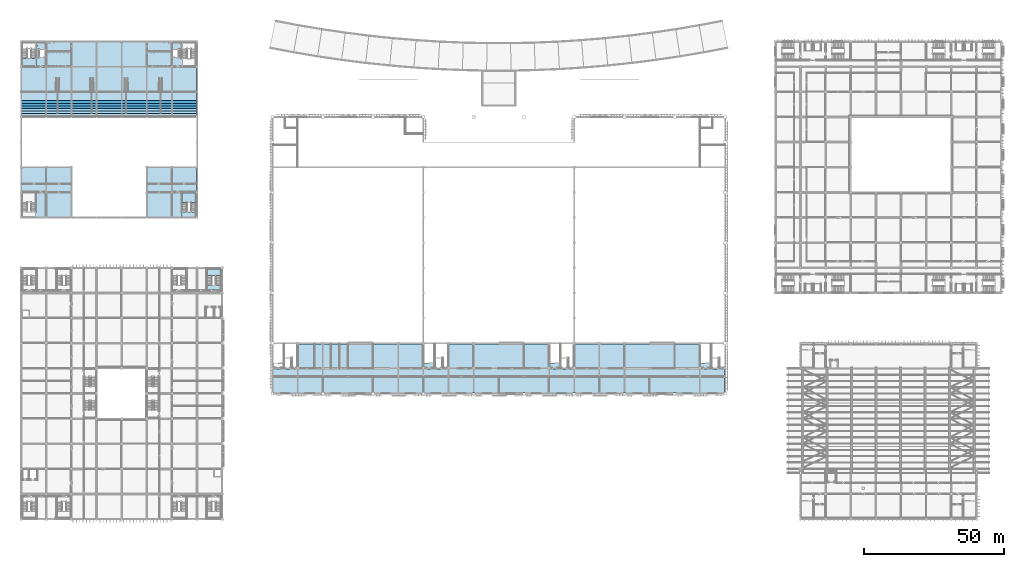
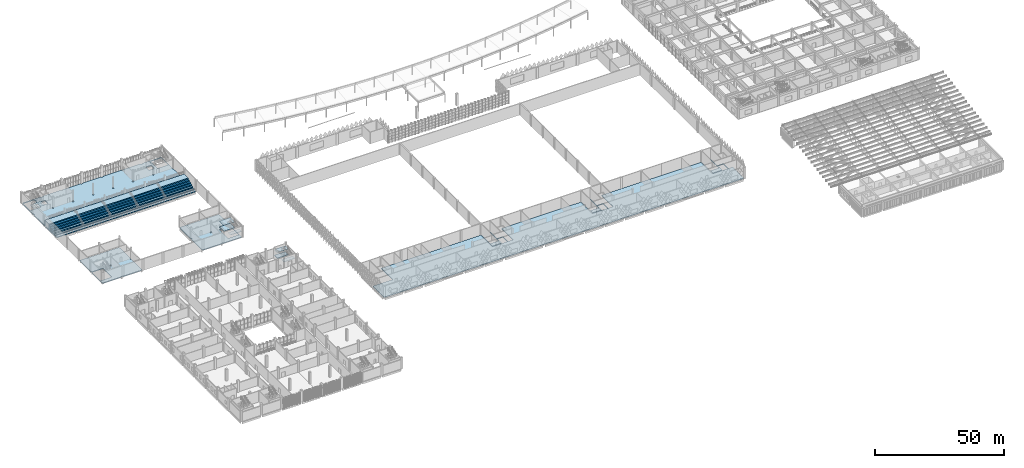
# One storey, part 88 of 185: 20 slabs, 3 elements without a shape of their own.
"""IFC4 building model written with IfcOpenShell, lengths in metres."""

from ifc_helpers import new_model, si_unit, direction, frame, origin, place, context, subcontext, project, spatial, polyline, outline, extrude, material, layer, layer_set, type_object, element, aggregate, save


model = new_model("IFC4")

# Units and contexts
model_context = context("Model", 3, precision=1e-05, world=origin(), true_north=direction((0.0, 1.0)))
body_context = subcontext(model_context, "Body", "Model", "MODEL_VIEW")
ifc_project = project(units=[si_unit("LENGTHUNIT", "METRE"), si_unit("AREAUNIT", "SQUARE_METRE"), si_unit("VOLUMEUNIT", "CUBIC_METRE"), si_unit("PLANEANGLEUNIT", "RADIAN"), si_unit("MASSUNIT", "GRAM", prefix="KILO")], contexts=[model_context])

# Site, building, storey
site_placement = place(None, origin())
site = spatial("IfcSite", under=ifc_project, at=site_placement, CompositionType="ELEMENT")
building_placement = place(site_placement, origin())
building = spatial("IfcBuilding", under=site, at=building_placement, Name="Opaline Strait Convention Centre", CompositionType="ELEMENT")
storey_placement = place(building_placement, frame((0.0, 0.0, 6.0)))
storey = spatial("IfcBuildingStorey", under=building, at=storey_placement, Name="L01", CompositionType="ELEMENT", Elevation=6.0)

# Slabs
ifc_material_1 = material(Name="Concrete C35", Category="concrete")
ifc_layer_1 = layer(ifc_material_1, 0.280029296875)
ifc_layer_set_1 = layer_set([ifc_layer_1], Name="Concrete C35")
slab_type_1 = type_object("IfcSlabType", Name="Core floor slab 280 C35", PredefinedType="FLOOR", material=ifc_layer_set_1)
slab_1_placement = place(storey_placement, frame((0.0, 0.0, -0.280029296875)))
element("IfcSlab", 1, at=slab_1_placement, inside=storey, type_object=slab_type_1, Name="Core 2 floor", PredefinedType="FLOOR", context=body_context, shape_type="SweptSolid", body=[
    extrude(outline(polyline([(159.75, 63.14990234375), (159.75, 66.550048828125), (157.25, 66.550048828125), (157.25, 63.14990234375), (153.14990234375, 63.14990234375), (153.14990234375, 71.800048828125), (153.199951171875, 71.800048828125), (153.199951171875, 64.95068359375), (156.949951171875, 64.95068359375), (156.949951171875, 71.800048828125), (157.25, 71.800048828125), (157.25, 66.85009765625), (160.050048828125, 66.85009765625), (160.050048828125, 63.14990234375), (159.75, 63.14990234375)])), origin(), (0.0, 0.0, 1.0), 0.280029296875),
])
slab_2_placement = place(storey_placement, frame((0.0, 0.0, -0.280029296875)))
element("IfcSlab", 2, at=slab_2_placement, inside=storey, type_object=slab_type_1, Name="Core 3 floor", PredefinedType="FLOOR", context=body_context, shape_type="SweptSolid", body=[
    extrude(outline(polyline([(204.75, 63.14990234375), (204.75, 66.550048828125), (202.25, 66.550048828125), (202.25, 63.14990234375), (198.14990234375, 63.14990234375), (198.14990234375, 71.800048828125), (198.199951171875, 71.800048828125), (198.199951171875, 64.95068359375), (201.949951171875, 64.95068359375), (201.949951171875, 71.800048828125), (202.25, 71.800048828125), (202.25, 66.85009765625), (205.050048828125, 66.85009765625), (205.050048828125, 63.14990234375), (204.75, 63.14990234375)])), origin(), (0.0, 0.0, 1.0), 0.280029296875),
])
slab_3_placement = place(storey_placement, frame((0.0, 0.0, -0.280029296875)))
element("IfcSlab", 3, at=slab_3_placement, inside=storey, type_object=slab_type_1, Name="Core 4 floor", PredefinedType="FLOOR", context=body_context, shape_type="SweptSolid", body=[
    extrude(outline(polyline([(258.75, 63.14990234375), (258.75, 66.550048828125), (256.25, 66.550048828125), (256.25, 63.14990234375), (252.14990234375, 63.14990234375), (252.14990234375, 71.800048828125), (252.199951171875, 71.800048828125), (252.199951171875, 64.95068359375), (255.949951171875, 64.95068359375), (255.949951171875, 71.800048828125), (256.25, 71.800048828125), (256.25, 66.85009765625), (259.050048828125, 66.85009765625), (259.050048828125, 63.14990234375), (258.75, 63.14990234375)])), origin(), (0.0, 0.0, 1.0), 0.280029296875),
])
ifc_layer_2 = layer(ifc_material_1, 0.280029296875)
ifc_layer_set_2 = layer_set([ifc_layer_2], Name="Concrete C35")
slab_type_2 = type_object("IfcSlabType", Name="Floor slab 280 C35", PredefinedType="FLOOR", material=ifc_layer_set_2)
slab_4_placement = place(storey_placement, frame((0.0, 0.0, -0.280029296875)))
element("IfcSlab", 4, at=slab_4_placement, inside=storey, type_object=slab_type_2, Name="PFS2 L01 circle deck slab", PredefinedType="FLOOR", context=body_context, shape_type="SweptSolid", body=[
    extrude(outline(polyline([(17.60009765625, 179.89990234375), (17.60009765625, 179.60009765625), (18.39990234375, 179.60009765625), (18.39990234375, 179.89990234375), (26.60009765625, 179.89990234375), (26.60009765625, 179.60009765625), (27.39990234375, 179.60009765625), (27.39990234375, 179.89990234375), (35.60009765625, 179.89990234375), (35.60009765625, 179.60009765625), (36.39990234375, 179.60009765625), (36.39990234375, 179.89990234375), (44.60009765625, 179.89990234375), (44.60009765625, 179.60009765625), (45.39990234375, 179.60009765625), (45.39990234375, 179.89990234375), (53.60009765625, 179.89990234375), (53.60009765625, 179.60009765625), (54.39990234375, 179.60009765625), (54.39990234375, 179.89990234375), (62.60009765625, 179.89990234375), (62.60009765625, 179.60009765625), (63.39990234375, 179.60009765625), (63.39990234375, 179.89990234375), (71.60009765625, 179.89990234375), (71.60009765625, 179.60009765625), (71.800048828125, 179.60009765625), (71.800048828125, 171.39990234375), (71.60009765625, 171.39990234375), (71.60009765625, 170.60009765625), (71.800048828125, 170.60009765625), (71.800048828125, 162.39990234375), (71.60009765625, 162.39990234375), (71.60009765625, 161.60009765625), (71.800048828125, 161.60009765625), (71.800048828125, 153.39990234375), (71.60009765625, 153.39990234375), (71.60009765625, 153.0), (9.39990234375, 153.0), (9.39990234375, 153.39990234375), (9.199951171875, 153.39990234375), (9.199951171875, 161.60009765625), (9.39990234375, 161.60009765625), (9.39990234375, 162.39990234375), (9.199951171875, 162.39990234375), (9.199951171875, 170.60009765625), (9.39990234375, 170.60009765625), (9.39990234375, 171.39990234375), (9.199951171875, 171.39990234375), (9.199951171875, 179.60009765625), (9.39990234375, 179.60009765625), (9.39990234375, 179.89990234375), (17.60009765625, 179.89990234375)]), holes=[polyline([(14.35009765625, 178.39990234375), (14.800048828125, 178.39990234375), (14.800048828125, 178.800048828125), (14.35009765625, 178.800048828125), (14.35009765625, 179.550048828125), (9.39990234375, 179.550048828125), (9.39990234375, 173.95068359375), (14.35009765625, 173.95068359375), (14.35009765625, 178.39990234375)]), polyline([(71.60009765625, 173.95068359375), (71.60009765625, 179.550048828125), (66.64990234375, 179.550048828125), (66.64990234375, 178.800048828125), (66.199951171875, 178.800048828125), (66.199951171875, 178.39990234375), (66.64990234375, 178.39990234375), (66.64990234375, 173.95068359375), (71.60009765625, 173.95068359375)]), polyline([(15.550048828125, 174.5), (17.85009765625, 174.5), (17.85009765625, 177.0), (15.550048828125, 177.0), (15.550048828125, 174.5)]), polyline([(63.14990234375, 177.0), (63.14990234375, 174.5), (65.449951171875, 174.5), (65.449951171875, 177.0), (63.14990234375, 177.0)]), polyline([(18.300048828125, 161.699951171875), (18.300048828125, 162.300048828125), (17.699951171875, 162.300048828125), (17.699951171875, 161.699951171875), (18.300048828125, 161.699951171875)]), polyline([(26.699951171875, 161.699951171875), (27.300048828125, 161.699951171875), (27.300048828125, 162.300048828125), (26.699951171875, 162.300048828125), (26.699951171875, 161.699951171875)]), polyline([(18.300048828125, 170.699951171875), (18.300048828125, 171.300048828125), (17.699951171875, 171.300048828125), (17.699951171875, 170.699951171875), (18.300048828125, 170.699951171875)]), polyline([(35.699951171875, 161.699951171875), (36.300048828125, 161.699951171875), (36.300048828125, 162.300048828125), (35.699951171875, 162.300048828125), (35.699951171875, 161.699951171875)]), polyline([(53.699951171875, 161.699951171875), (54.300048828125, 161.699951171875), (54.300048828125, 162.300048828125), (53.699951171875, 162.300048828125), (53.699951171875, 161.699951171875)]), polyline([(45.300048828125, 161.699951171875), (45.300048828125, 162.300048828125), (44.699951171875, 162.300048828125), (44.699951171875, 161.699951171875), (45.300048828125, 161.699951171875)]), polyline([(26.699951171875, 170.699951171875), (27.300048828125, 170.699951171875), (27.300048828125, 171.300048828125), (26.699951171875, 171.300048828125), (26.699951171875, 170.699951171875)]), polyline([(53.699951171875, 170.699951171875), (54.300048828125, 170.699951171875), (54.300048828125, 171.300048828125), (53.699951171875, 171.300048828125), (53.699951171875, 170.699951171875)]), polyline([(45.300048828125, 170.699951171875), (45.300048828125, 171.300048828125), (44.699951171875, 171.300048828125), (44.699951171875, 170.699951171875), (45.300048828125, 170.699951171875)]), polyline([(35.699951171875, 170.699951171875), (36.300048828125, 170.699951171875), (36.300048828125, 171.300048828125), (35.699951171875, 171.300048828125), (35.699951171875, 170.699951171875)]), polyline([(63.300048828125, 161.699951171875), (63.300048828125, 162.300048828125), (62.699951171875, 162.300048828125), (62.699951171875, 161.699951171875), (63.300048828125, 161.699951171875)]), polyline([(62.699951171875, 170.699951171875), (63.300048828125, 170.699951171875), (63.300048828125, 171.300048828125), (62.699951171875, 171.300048828125), (62.699951171875, 170.699951171875)])]), origin(), (0.0, 0.0, 1.0), 0.280029296875),
])
slab_5_placement = place(storey_placement, frame((0.0, 0.0, -0.280029296875)))
element("IfcSlab", 5, at=slab_5_placement, inside=storey, type_object=slab_type_2, Name="PFS2 L01 wing w l01 slab", PredefinedType="FLOOR", context=body_context, shape_type="SweptSolid", body=[
    extrude(outline(polyline([(18.39990234375, 117.25), (18.39990234375, 117.39990234375), (17.60009765625, 117.39990234375), (17.60009765625, 117.25), (9.39990234375, 117.25), (9.39990234375, 117.39990234375), (9.199951171875, 117.39990234375), (9.199951171875, 125.60009765625), (9.39990234375, 125.60009765625), (9.39990234375, 119.05078125), (14.35009765625, 119.05078125), (14.35009765625, 125.85009765625), (9.39990234375, 125.85009765625), (9.39990234375, 126.39990234375), (9.199951171875, 126.39990234375), (9.199951171875, 134.60009765625), (9.39990234375, 134.60009765625), (9.39990234375, 135.0), (17.699951171875, 135.0), (17.699951171875, 134.699951171875), (18.300048828125, 134.699951171875), (18.300048828125, 135.0), (26.699951171875, 135.0), (26.699951171875, 134.699951171875), (27.0, 134.699951171875), (27.0, 126.300048828125), (26.699951171875, 126.300048828125), (26.699951171875, 125.699951171875), (27.0, 125.699951171875), (27.0, 117.39990234375), (26.60009765625, 117.39990234375), (26.60009765625, 117.25), (18.39990234375, 117.25)]), holes=[polyline([(17.699951171875, 125.699951171875), (18.300048828125, 125.699951171875), (18.300048828125, 126.300048828125), (17.699951171875, 126.300048828125), (17.699951171875, 125.699951171875)])]), origin(), (0.0, 0.0, 1.0), 0.280029296875),
])
slab_6_placement = place(storey_placement, frame((0.0, 0.0, -0.280029296875)))
element("IfcSlab", 6, at=slab_6_placement, inside=storey, type_object=slab_type_2, Name="PFS2 L01 wing e l01 slab", PredefinedType="FLOOR", context=body_context, shape_type="SweptSolid", body=[
    extrude(outline(polyline([(63.39990234375, 117.25), (63.39990234375, 117.39990234375), (62.60009765625, 117.39990234375), (62.60009765625, 117.25), (54.39990234375, 117.25), (54.39990234375, 117.39990234375), (54.0, 117.39990234375), (54.0, 125.699951171875), (54.300048828125, 125.699951171875), (54.300048828125, 126.300048828125), (54.0, 126.300048828125), (54.0, 134.699951171875), (54.300048828125, 134.699951171875), (54.300048828125, 135.0), (62.699951171875, 135.0), (62.699951171875, 134.699951171875), (63.300048828125, 134.699951171875), (63.300048828125, 135.0), (71.60009765625, 135.0), (71.60009765625, 134.60009765625), (71.800048828125, 134.60009765625), (71.800048828125, 126.39990234375), (71.60009765625, 126.39990234375), (71.60009765625, 125.85009765625), (66.64990234375, 125.85009765625), (66.64990234375, 119.05078125), (71.60009765625, 119.05078125), (71.60009765625, 125.60009765625), (71.800048828125, 125.60009765625), (71.800048828125, 117.39990234375), (71.60009765625, 117.39990234375), (71.60009765625, 117.25), (63.39990234375, 117.25)]), holes=[polyline([(62.699951171875, 125.699951171875), (63.300048828125, 125.699951171875), (63.300048828125, 126.300048828125), (62.699951171875, 126.300048828125), (62.699951171875, 125.699951171875)])]), origin(), (0.0, 0.0, 1.0), 0.280029296875),
])
ifc_layer_3 = layer(ifc_material_1, 0.280029296875)
ifc_layer_set_3 = layer_set([ifc_layer_3], Name="Concrete C35")
slab_type_3 = type_object("IfcSlabType", Name="RC floor slab 280 C35", PredefinedType="FLOOR", material=ifc_layer_set_3)
slab_7_placement = place(storey_placement, frame((0.0, 0.0, -0.280029296875)))
element("IfcSlab", 7, at=slab_7_placement, inside=storey, type_object=slab_type_3, Name="Strip mezzanine slab", PredefinedType="FLOOR", context=body_context, shape_type="SweptSolid", body=[
    extrude(outline(polyline([(99.199951171875, 54.199951171875), (99.199951171875, 62.85009765625), (108.14990234375, 62.85009765625), (108.14990234375, 71.800048828125), (152.85009765625, 71.800048828125), (152.85009765625, 62.85009765625), (162.14990234375, 62.85009765625), (162.14990234375, 71.800048828125), (197.85009765625, 71.800048828125), (197.85009765625, 62.85009765625), (207.14990234375, 62.85009765625), (207.14990234375, 71.800048828125), (251.85009765625, 71.800048828125), (251.85009765625, 62.85009765625), (260.800048828125, 62.85009765625), (260.800048828125, 54.199951171875), (99.199951171875, 54.199951171875)])), origin(), (0.0, 0.0, 1.0), 0.280029296875),
])
ifc_layer_4 = layer(ifc_material_1, 0.300048828125)
ifc_layer_set_4 = layer_set([ifc_layer_4], Name="Concrete C35")
slab_type_4 = type_object("IfcSlabType", Name="Seating tier 300 C35", PredefinedType="USERDEFINED", material=ifc_layer_set_4)
slab_8_placement = place(storey_placement, origin())
element("IfcSlab", 8, at=slab_8_placement, inside=storey, type_object=slab_type_4, Name="PT1 Circle row 1", ObjectType="SEATING TIER", PredefinedType="USERDEFINED", context=body_context, shape_type="SweptSolid", body=[
    extrude(outline(polyline([(9.199951171875, 154.300048828125), (9.199951171875, 155.199951171875), (71.800048828125, 155.199951171875), (71.800048828125, 154.300048828125), (9.199951171875, 154.300048828125)])), origin(), (0.0, 0.0, 1.0), 0.25),
])
slab_9_placement = place(storey_placement, origin())
element("IfcSlab", 9, at=slab_9_placement, inside=storey, type_object=slab_type_4, Name="PT1 Circle row 2", ObjectType="SEATING TIER", PredefinedType="USERDEFINED", context=body_context, shape_type="SweptSolid", body=[
    extrude(outline(polyline([(9.199951171875, 155.199951171875), (9.199951171875, 156.10009765625), (71.800048828125, 156.10009765625), (71.800048828125, 155.199951171875), (9.199951171875, 155.199951171875)])), origin(), (0.0, 0.0, 1.0), 0.74609375),
])
slab_10_placement = place(storey_placement, origin())
element("IfcSlab", 10, at=slab_10_placement, inside=storey, type_object=slab_type_4, Name="PT1 Circle row 3", ObjectType="SEATING TIER", PredefinedType="USERDEFINED", context=body_context, shape_type="SweptSolid", body=[
    extrude(outline(polyline([(9.199951171875, 156.10009765625), (9.199951171875, 157.0), (71.800048828125, 157.0), (71.800048828125, 156.10009765625), (9.199951171875, 156.10009765625)])), origin(), (0.0, 0.0, 1.0), 1.248046875),
])
slab_11_placement = place(storey_placement, origin())
element("IfcSlab", 11, at=slab_11_placement, inside=storey, type_object=slab_type_4, Name="PT1 Circle row 4", ObjectType="SEATING TIER", PredefinedType="USERDEFINED", context=body_context, shape_type="SweptSolid", body=[
    extrude(outline(polyline([(9.199951171875, 157.0), (9.199951171875, 157.89990234375), (71.800048828125, 157.89990234375), (71.800048828125, 157.0), (9.199951171875, 157.0)])), origin(), (0.0, 0.0, 1.0), 1.756103515625),
])
slab_12_placement = place(storey_placement, origin())
element("IfcSlab", 12, at=slab_12_placement, inside=storey, type_object=slab_type_4, Name="PT1 Circle row 5", ObjectType="SEATING TIER", PredefinedType="USERDEFINED", context=body_context, shape_type="SweptSolid", body=[
    extrude(outline(polyline([(9.199951171875, 157.89990234375), (9.199951171875, 158.800048828125), (71.800048828125, 158.800048828125), (71.800048828125, 157.89990234375), (9.199951171875, 157.89990234375)])), origin(), (0.0, 0.0, 1.0), 2.26904296875),
])
slab_13_placement = place(storey_placement, origin())
element("IfcSlab", 13, at=slab_13_placement, inside=storey, type_object=slab_type_4, Name="PT1 Circle row 6", ObjectType="SEATING TIER", PredefinedType="USERDEFINED", context=body_context, shape_type="SweptSolid", body=[
    extrude(outline(polyline([(9.199951171875, 158.800048828125), (9.199951171875, 162.0), (71.800048828125, 162.0), (71.800048828125, 158.800048828125), (9.199951171875, 158.800048828125)])), origin(), (0.0, 0.0, 1.0), 2.787109375),
])

# Stair, slabs
ifc_material_2 = material(Name="Concrete C40", Category="concrete")
stair_type_1 = type_object("IfcStairType", Name="Exit stair two flights 1800 C40", PredefinedType="HALF_TURN_STAIR", material=ifc_material_2)
stair_1_placement = place(storey_placement, origin())
stair_1 = element("IfcStair", 14, at=stair_1_placement, inside=storey, type_object=stair_type_1, Name="L01 NEA", ObjectType="RST1", PredefinedType="HALF_TURN_STAIR")
ifc_layer_5 = layer(ifc_material_2, 0.199951171875)
ifc_layer_set_5 = layer_set([ifc_layer_5], Name="Concrete C40")
slab_type_5 = type_object("IfcSlabType", Name="Stair landing 200 C40", PredefinedType="LANDING", material=ifc_layer_set_5)
slab_14_placement = place(storey_placement, frame((0.0, 0.0, 1.175048828125)))
slab_14 = element("IfcSlab", 15, at=slab_14_placement, type_object=slab_type_5, Name="NEA landing 1", ObjectType="RSL1", PredefinedType="LANDING", context=body_context, shape_type="SweptSolid", body=[
    extrude(outline(polyline([(80.5, 96.159912109375), (80.5, 98.5), (75.550048828125, 98.5), (75.550048828125, 96.159912109375), (80.5, 96.159912109375)])), origin(), (0.0, 0.0, 1.0), 0.199951171875),
])
slab_15_placement = place(storey_placement, frame((0.0, 0.0, 2.550048828125)))
slab_15 = element("IfcSlab", 16, at=slab_15_placement, type_object=slab_type_5, Name="NEA landing 2", ObjectType="RSL1", PredefinedType="LANDING", context=body_context, shape_type="SweptSolid", body=[
    extrude(outline(polyline([(80.5, 91.0), (80.5, 92.800048828125), (75.550048828125, 92.800048828125), (75.550048828125, 91.0), (80.5, 91.0)])), origin(), (0.0, 0.0, 1.0), 0.199951171875),
])
slab_16_placement = place(storey_placement, frame((0.0, 0.0, 3.925048828125)))
slab_16 = element("IfcSlab", 17, at=slab_16_placement, type_object=slab_type_5, Name="NEA landing 3", ObjectType="RSL1", PredefinedType="LANDING", context=body_context, shape_type="SweptSolid", body=[
    extrude(outline(polyline([(80.5, 96.159912109375), (80.5, 98.5), (75.550048828125, 98.5), (75.550048828125, 96.159912109375), (80.5, 96.159912109375)])), origin(), (0.0, 0.0, 1.0), 0.199951171875),
])
aggregate(stair_1, [slab_14, slab_15, slab_16])

stair_type_2 = type_object("IfcStairType", Name="Core stair half turn 2400", PredefinedType="HALF_TURN_STAIR", material=ifc_material_2)
stair_2_placement = place(storey_placement, origin())
stair_2 = element("IfcStair", 18, at=stair_2_placement, inside=storey, type_object=stair_type_2, Name="L01 SE core stair", ObjectType="PST2", PredefinedType="HALF_TURN_STAIR")
ifc_layer_6 = layer(ifc_material_2, 0.199951171875)
ifc_layer_set_6 = layer_set([ifc_layer_6], Name="Concrete C40")
slab_type_6 = type_object("IfcSlabType", Name="Stair landing 200 precast", PredefinedType="LANDING", material=ifc_layer_set_6)
slab_17_placement = place(storey_placement, frame((0.0, 0.0, 1.175048828125)))
slab_17 = element("IfcSlab", 19, at=slab_17_placement, type_object=slab_type_6, Name="PSR2 landing 1", ObjectType="PSL1", PredefinedType="LANDING", context=body_context, shape_type="SweptSolid", body=[
    extrude(outline(polyline([(71.60009765625, 122.409912109375), (71.60009765625, 125.85009765625), (66.64990234375, 125.85009765625), (66.64990234375, 122.409912109375), (71.60009765625, 122.409912109375)])), origin(), (0.0, 0.0, 1.0), 0.199951171875),
])
slab_18_placement = place(storey_placement, frame((0.0, 0.0, 2.550048828125)))
slab_18 = element("IfcSlab", 20, at=slab_18_placement, type_object=slab_type_6, Name="PSR2 landing 2", ObjectType="PSL1", PredefinedType="LANDING", context=body_context, shape_type="SweptSolid", body=[
    extrude(outline(polyline([(71.60009765625, 117.25), (71.60009765625, 119.050048828125), (66.64990234375, 119.050048828125), (66.64990234375, 117.25), (71.60009765625, 117.25)])), origin(), (0.0, 0.0, 1.0), 0.199951171875),
])
slab_19_placement = place(storey_placement, frame((0.0, 0.0, 3.925048828125)))
slab_19 = element("IfcSlab", 21, at=slab_19_placement, type_object=slab_type_6, Name="PSR2 landing 3", ObjectType="PSL1", PredefinedType="LANDING", context=body_context, shape_type="SweptSolid", body=[
    extrude(outline(polyline([(71.60009765625, 122.409912109375), (71.60009765625, 125.85009765625), (66.64990234375, 125.85009765625), (66.64990234375, 122.409912109375), (71.60009765625, 122.409912109375)])), origin(), (0.0, 0.0, 1.0), 0.199951171875),
])
aggregate(stair_2, [slab_17, slab_18, slab_19])

# Stair, slab
stair_3_placement = place(storey_placement, origin())
stair_3 = element("IfcStair", 22, at=stair_3_placement, inside=storey, type_object=stair_type_2, Name="L01 NW core stair", ObjectType="PST2", PredefinedType="HALF_TURN_STAIR")
slab_20_placement = place(storey_placement, frame((0.0, 0.0, 2.550048828125)))
slab_20 = element("IfcSlab", 23, at=slab_20_placement, type_object=slab_type_6, Name="PSR3 landing 2", ObjectType="PSL1", PredefinedType="LANDING", context=body_context, shape_type="SweptSolid", body=[
    extrude(outline(polyline([(14.35009765625, 171.14990234375), (14.35009765625, 173.949951171875), (9.39990234375, 173.949951171875), (9.39990234375, 171.14990234375), (14.35009765625, 171.14990234375)])), origin(), (0.0, 0.0, 1.0), 0.199951171875),
])
aggregate(stair_3, [slab_20])

save(model, "model.ifc")
